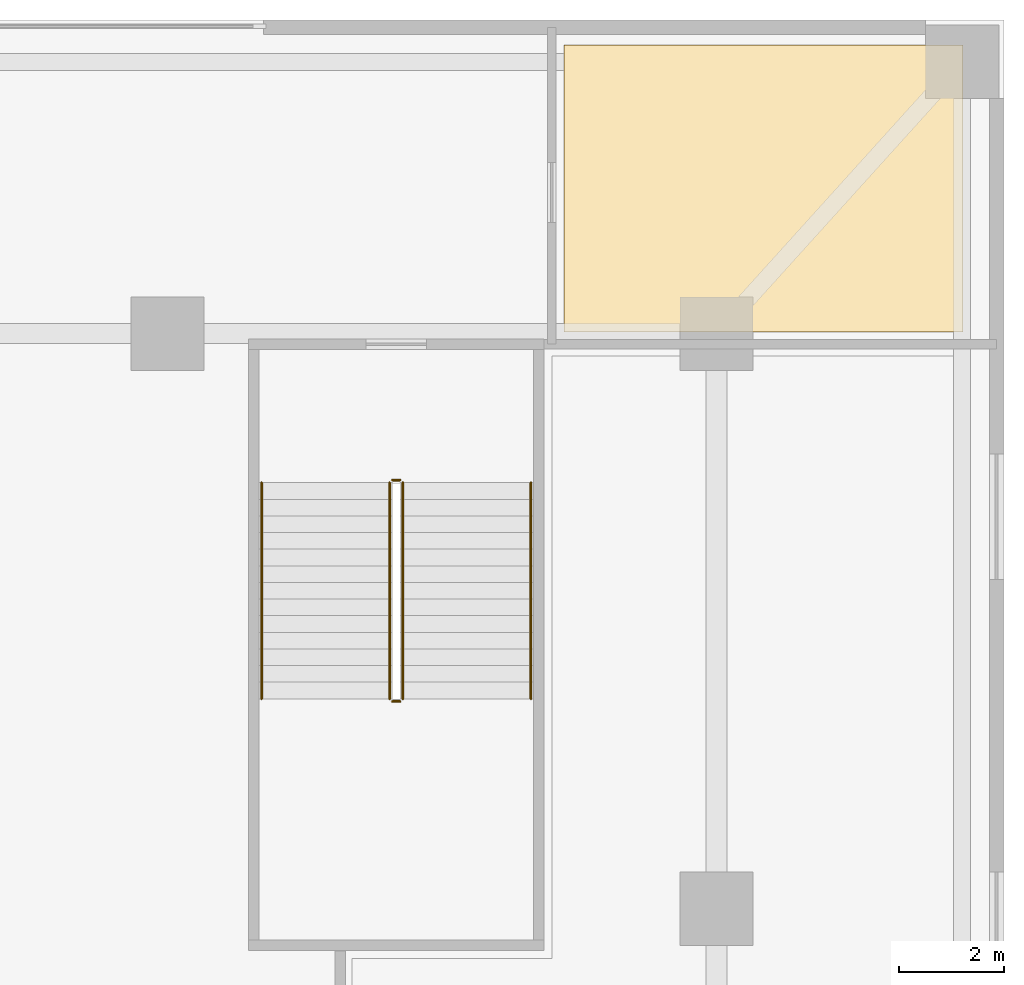
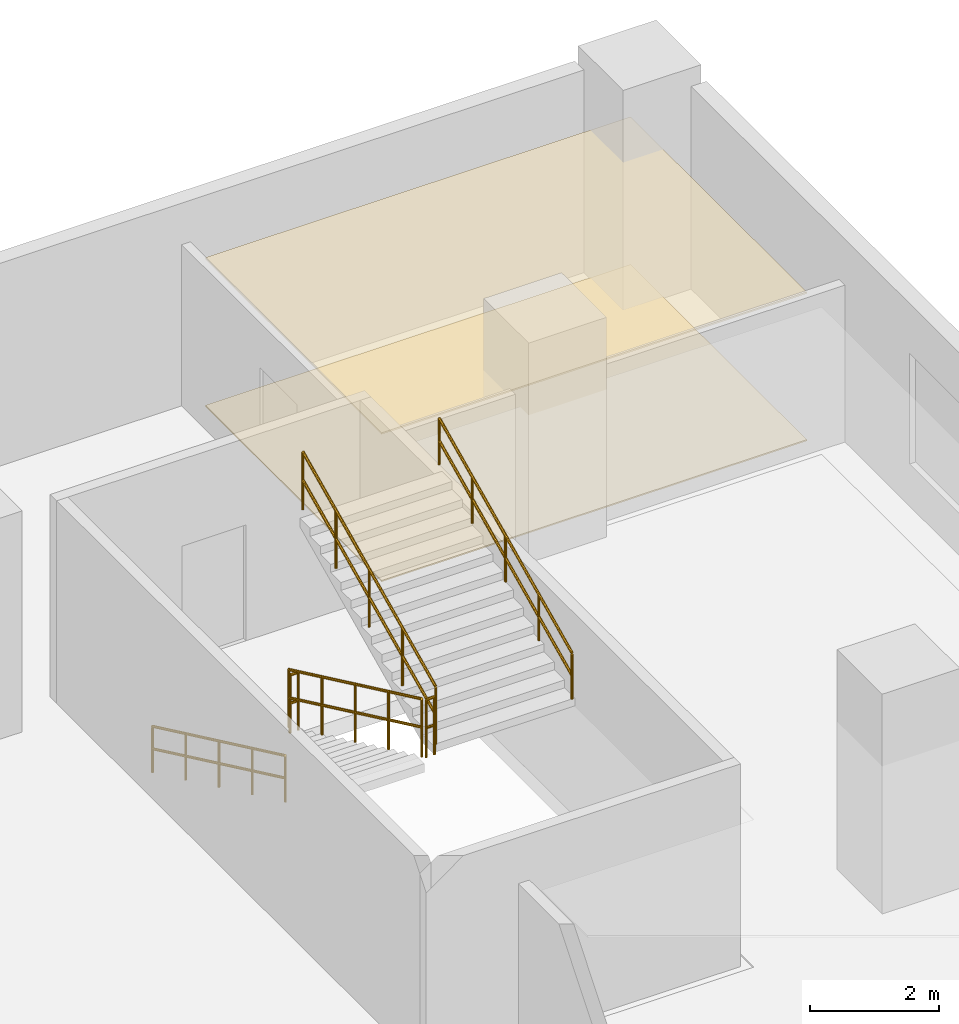
# One storey, part 14 of 15: 6 railings, 2 coverings.
"""IFC4 building model written with IfcOpenShell, lengths in metres."""

import ifcopenshell
import ifcopenshell.guid

model = None  # the IFC model being written
_history = None  # IfcOwnerHistory: only IFC2X3 demands one
_inside = {}  # id of a spatial element -> (the spatial element, [elements in it])
_under = {}  # id of a project, library or spatial element -> (it, [spatial elements below it])
_declared = {}  # id of a project -> (the project, [libraries it declares])
_typed = {}  # id of a type object -> (the type object, [elements of that type])
_made_of = {}  # id of a material, layer set ... -> (it, [elements and type objects made of it])


def new_model(schema):
    """Start an empty IFC model of exactly this schema.

    Asked for "IFC4X3", IfcOpenShell would pick the latest addendum, in which some entities
    have other attributes; the version numbers below select the first issue.
    IFC2X3 requires an IfcOwnerHistory on every rooted entity: one is made here for all.
    """
    global model, _history
    if schema == "IFC4X3":
        model = ifcopenshell.file(schema_version=(4, 3, 0, 0))
    else:
        model = ifcopenshell.file(schema=schema)
    _inside.clear()
    _under.clear()
    _declared.clear()
    _typed.clear()
    _made_of.clear()
    _history = None
    if model.schema == "IFC2X3":
        org = make("IfcOrganization", Name="unknown")
        user = make(
            "IfcPersonAndOrganization",
            ThePerson=make("IfcPerson", FamilyName="unknown"),
            TheOrganization=org,
        )
        app = make(
            "IfcApplication",
            ApplicationDeveloper=org,
            Version="unknown",
            ApplicationFullName="unknown",
            ApplicationIdentifier="unknown",
        )
        _history = make(
            "IfcOwnerHistory",
            OwningUser=user,
            OwningApplication=app,
            ChangeAction="ADDED",
            CreationDate=0,
        )
    return model


def make(cls, **values):
    """One entity of the class cls with the attributes given. An attribute that is None is left unset."""
    return model.create_entity(
        cls, **{name: value for name, value in values.items() if value is not None}
    )


def rooted(cls, **values):
    """An entity with a GlobalId (a new one), such as an element, a storey or a relation."""
    return make(cls, GlobalId=ifcopenshell.guid.new(), OwnerHistory=_history, **values)


def si_unit(unit_type, name, prefix=None):
    """IfcSIUnit, for example si_unit("LENGTHUNIT", "METRE", prefix="MILLI")."""
    return make("IfcSIUnit", UnitType=unit_type, Prefix=prefix, Name=name)


def assignment(units):
    """IfcUnitAssignment: the units of a project."""
    return None if units is None else make("IfcUnitAssignment", Units=units)


def point(xyz):
    """IfcCartesianPoint."""
    return None if xyz is None else make("IfcCartesianPoint", Coordinates=xyz)


def direction(xyz):
    """IfcDirection."""
    return None if xyz is None else make("IfcDirection", DirectionRatios=xyz)


def frame(location, z_axis=None, x_axis=None):
    """IfcAxis2Placement3D, a coordinate frame: its origin and axes. An axis left out is left unset."""
    return make(
        "IfcAxis2Placement3D",
        Location=point(location),
        Axis=direction(z_axis),
        RefDirection=direction(x_axis),
    )


def frame_2d(location, x_axis=None):
    """IfcAxis2Placement2D, a coordinate frame in the plane: its origin and x axis."""
    return make(
        "IfcAxis2Placement2D", Location=point(location), RefDirection=direction(x_axis)
    )


def origin():
    """The frame at (0, 0, 0) with its axes left unset."""
    return frame((0.0, 0.0, 0.0))


def origin_2d():
    """The frame at (0, 0) in the plane with its x axis left unset."""
    return frame_2d((0.0, 0.0))


def place(relative_to, where):
    """IfcLocalPlacement: puts the frame where relative to a parent placement (None: the world)."""
    return make(
        "IfcLocalPlacement", PlacementRelTo=relative_to, RelativePlacement=where
    )


def context(
    kind, dimensions, precision=None, world=None, true_north=None, identifier=None
):
    """IfcGeometricRepresentationContext, for example the 3D "Model" context."""
    return make(
        "IfcGeometricRepresentationContext",
        ContextIdentifier=identifier,
        ContextType=kind,
        CoordinateSpaceDimension=dimensions,
        Precision=precision,
        WorldCoordinateSystem=world,
        TrueNorth=true_north,
    )


def subcontext(parent, identifier, kind, view, scale=None):
    """IfcGeometricRepresentationSubContext, for example "Body" below "Model"."""
    return make(
        "IfcGeometricRepresentationSubContext",
        ContextIdentifier=identifier,
        ContextType=kind,
        ParentContext=parent,
        TargetScale=scale,
        TargetView=view,
    )


def project(units=None, contexts=None):
    """IfcProject with its units and contexts."""
    return rooted(
        "IfcProject",
        Name="project",
        RepresentationContexts=contexts,
        UnitsInContext=assignment(units),
    )


def spatial(cls, under=None, at=None, **own):
    """A site, building, storey or space (cls), placed at a placement, below another one or the project."""
    s = rooted(cls, ObjectPlacement=at, **own)
    if under is not None:
        _under.setdefault(under.id(), (under, []))[1].append(s)
    return s


def polyline(points):
    """IfcPolyline through the points."""
    return make("IfcPolyline", Points=[point(p) for p in points])


def profile(cls, at=None, kind="AREA", **sizes):
    """A parametric profile (cls). Its sizes go by their IFC names, for example OverallWidth=200.0."""
    return make(cls, ProfileType=kind, Position=at, **sizes)


def circle(**sizes):
    """IfcCircleProfileDef."""
    return profile("IfcCircleProfileDef", **sizes)


def outline(outer, holes=None, kind="AREA"):
    """IfcArbitraryClosedProfileDef: a profile drawn as a closed curve; with holes, ...WithVoids."""
    if holes is None:
        return make("IfcArbitraryClosedProfileDef", ProfileType=kind, OuterCurve=outer)
    return make(
        "IfcArbitraryProfileDefWithVoids",
        ProfileType=kind,
        OuterCurve=outer,
        InnerCurves=holes,
    )


def extrude(swept, where, along, depth):
    """IfcExtrudedAreaSolid: the profile swept, set in the frame where, extruded along a direction by depth."""
    return make(
        "IfcExtrudedAreaSolid",
        SweptArea=swept,
        Position=where,
        ExtrudedDirection=direction(along),
        Depth=depth,
    )


def shape(context_of_items, identifier, shape_type, items):
    """IfcShapeRepresentation: the items that make up one representation, for example the "Body"."""
    return make(
        "IfcShapeRepresentation",
        ContextOfItems=context_of_items,
        RepresentationIdentifier=identifier,
        RepresentationType=shape_type,
        Items=items,
    )


def material(Name=None, Category=None):
    """IfcMaterial."""
    return make("IfcMaterial", Name=Name, Category=Category)


def layer(
    of_material, thickness, ventilated=None, Name=None, Category=None, Priority=None
):
    """IfcMaterialLayer: one layer of a wall or slab, of a material (None: an air gap)."""
    return make(
        "IfcMaterialLayer",
        Material=of_material,
        LayerThickness=thickness,
        IsVentilated=ventilated,
        Name=Name,
        Category=Category,
        Priority=Priority,
    )


def layer_set(layers, Name=None):
    """IfcMaterialLayerSet."""
    return make("IfcMaterialLayerSet", MaterialLayers=layers, LayerSetName=Name)


def made_of(thing, what):
    """Note that an element or type object is made of a material, layer set ...; save() writes the relation."""
    if what is not None:
        _made_of.setdefault(what.id(), (what, []))[1].append(thing)
    return thing


def type_object(cls, material=None, **own):
    """A type object (cls), such as IfcWallType, which elements share."""
    return made_of(rooted(cls, **own), material)


def element(
    cls,
    number,
    at=None,
    inside=None,
    cuts=None,
    type_object=None,
    material=None,
    context=None,
    identifier="Body",
    shape_type=None,
    held_by="IfcProductDefinitionShape",
    body=None,
    shapes=None,
    **own,
):
    """One element of the class cls, such as IfcWall. Its Tag is "e" and its number.

    at: its placement. inside: the storey or other place that contains it. cuts: it is an
    opening in that element (IfcRelVoidsElement). A single representation is given by context,
    identifier, shape_type and body (its items); several are given by shapes. held_by: the class
    of the entity that holds the representations. save() writes the other relations.
    """
    e = rooted(cls, Tag="e%d" % number, ObjectPlacement=at, **own)
    if body is not None:
        shapes = [shape(context, identifier, shape_type, body)]
    if shapes is not None:
        e.Representation = make(held_by, Representations=shapes)
    if inside is not None:
        _inside.setdefault(inside.id(), (inside, []))[1].append(e)
    if cuts is not None:
        rooted(
            "IfcRelVoidsElement", RelatingBuildingElement=cuts, RelatedOpeningElement=e
        )
    if type_object is not None:
        _typed.setdefault(type_object.id(), (type_object, []))[1].append(e)
    return made_of(e, material)


def aggregate(whole, parts):
    """IfcRelAggregates: a whole, such as a stair, and the parts it consists of."""
    return rooted("IfcRelAggregates", RelatingObject=whole, RelatedObjects=parts)


def save(model, path):
    """Write the relations noted so far, then the file.

    IfcRelAggregates (storeys below a building ...), IfcRelContainedInSpatialStructure (elements
    in a storey), IfcRelDefinesByType, IfcRelAssociatesMaterial and IfcRelDeclares: one each for
    every whole, place, type object, material and project.
    """
    for whole, parts in _under.values():
        aggregate(whole, parts)
    for where, things in _inside.values():
        rooted(
            "IfcRelContainedInSpatialStructure",
            RelatedElements=things,
            RelatingStructure=where,
        )
    for kind, things in _typed.values():
        rooted("IfcRelDefinesByType", RelatedObjects=things, RelatingType=kind)
    for what, things in _made_of.values():
        rooted("IfcRelAssociatesMaterial", RelatedObjects=things, RelatingMaterial=what)
    for by, libraries in _declared.values():
        rooted("IfcRelDeclares", RelatingContext=by, RelatedDefinitions=libraries)
    model.write(path)


model = new_model("IFC4")

# Units and contexts
model_context = context("Model", 3, precision=1e-05, world=origin(), true_north=direction((0.0, 1.0)))
body_context = subcontext(model_context, "Body", "Model", "MODEL_VIEW")
ifc_project = project(units=[si_unit("LENGTHUNIT", "METRE"), si_unit("AREAUNIT", "SQUARE_METRE"), si_unit("VOLUMEUNIT", "CUBIC_METRE"), si_unit("PLANEANGLEUNIT", "RADIAN"), si_unit("MASSUNIT", "GRAM", prefix="KILO")], contexts=[model_context])

# Site, building, storey
site_placement = place(None, origin())
site = spatial("IfcSite", under=ifc_project, at=site_placement, CompositionType="ELEMENT")
building_placement = place(site_placement, origin())
building = spatial("IfcBuilding", under=site, at=building_placement, Name="Solmavex Isthmus Hotel", CompositionType="ELEMENT")
storey_placement = place(building_placement, frame((0.0, 0.0, 16.199951171875)))
storey = spatial("IfcBuildingStorey", under=building, at=storey_placement, Name="L04", CompositionType="ELEMENT", Elevation=16.199951171875)

# Coverings
ifc_material_1 = material(Name="Gypsum plasterboard lining", Category="gypsum")
ifc_layer_1 = layer(ifc_material_1, 0.030029296875)
ifc_layer_set_1 = layer_set([ifc_layer_1], Name="Gypsum plasterboard lining")
covering_type_1 = type_object("IfcCoveringType", Name="COV-CEIL-GYP", PredefinedType="CEILING", material=ifc_layer_set_1)
covering_1_placement = place(storey_placement, frame((0.0, 0.0, 2.800048828125)))
element("IfcCovering", 1, at=covering_1_placement, inside=storey, type_object=covering_type_1, Name="Suspended Acoustic Ceiling L04-BC01", PredefinedType="CEILING", context=body_context, shape_type="SweptSolid", body=[
    extrude(outline(polyline([(33.219970703125, 17.530029296875), (33.219970703125, 23.02001953125), (25.580078125, 23.02001953125), (25.580078125, 17.530029296875), (33.219970703125, 17.530029296875)])), origin(), (0.0, 0.0, 1.0), 0.030029296875),
])
ifc_material_2 = material(Name="Travertine natural stone", Category="masonry")
ifc_layer_2 = layer(ifc_material_2, 0.02490234375)
ifc_layer_set_2 = layer_set([ifc_layer_2], Name="Travertine natural stone")
covering_type_2 = type_object("IfcCoveringType", Name="COV-FLOR-STN", PredefinedType="FLOORING", material=ifc_layer_set_2)
covering_2_placement = place(storey_placement, origin())
element("IfcCovering", 2, at=covering_2_placement, inside=storey, type_object=covering_type_2, Name="Stone and Timber Floor Finish L04-BC01", PredefinedType="FLOORING", context=body_context, shape_type="SweptSolid", body=[
    extrude(outline(polyline([(33.219970703125, 17.530029296875), (33.219970703125, 23.02001953125), (25.580078125, 23.02001953125), (25.580078125, 17.530029296875), (33.219970703125, 17.530029296875)])), origin(), (0.0, 0.0, 1.0), 0.025146484375),
])

# Railings
ifc_material_3 = material(Name="Stainless steel 316", Category="steel")
ifc_layer_3 = layer(ifc_material_3, 0.06005859375)
ifc_layer_set_3 = layer_set([ifc_layer_3], Name="Stainless steel 316")
railing_type_1 = type_object("IfcRailingType", Name="RAIL-STAIR-GD", PredefinedType="GUARDRAIL", material=ifc_layer_set_3)
railing_1_placement = place(storey_placement, frame((22.25, 14.64990234375, 0.150146484375)))
element("IfcRailing", 3, at=railing_1_placement, inside=storey, type_object=railing_type_1, Name="L04 ST-3 stair guard 1", PredefinedType="GUARDRAIL", context=body_context, shape_type="SweptSolid", body=[
    extrude(circle(Radius=0.02392578125, at=origin_2d()), frame((0.0, 0.0, 1.09619140625), z_axis=(0.0, -0.904427314889, 0.426627744154), x_axis=(1.0, 0.0, 0.0)), (0.0, 0.0, 1.0), 4.570556640625),
    extrude(circle(Radius=0.02392578125, at=origin_2d()), frame((0.0, 0.0, 0.56005859375), z_axis=(0.0, -0.904427314889, 0.426627744154), x_axis=(1.0, 0.0, 0.0)), (0.0, 0.0, 1.0), 4.570556640625),
    extrude(circle(Radius=0.02099609375, at=origin_2d()), origin(), (0.0, 0.0, 1.0), 1.072021484375),
    extrude(circle(Radius=0.02099609375, at=origin_2d()), frame((0.0, -1.033447265625, 0.487548828125)), (0.0, 0.0, 1.0), 1.072021484375),
    extrude(circle(Radius=0.02099609375, at=origin_2d()), frame((0.0, -2.06689453125, 0.97509765625)), (0.0, 0.0, 1.0), 1.072021484375),
    extrude(circle(Radius=0.02099609375, at=origin_2d()), frame((0.0, -3.100341796875, 1.46240234375)), (0.0, 0.0, 1.0), 1.072021484375),
    extrude(circle(Radius=0.02099609375, at=origin_2d()), frame((0.0, -4.1337890625, 1.949951171875)), (0.0, 0.0, 1.0), 1.072021484375),
])
railing_2_placement = place(storey_placement, frame((22.300048828125, 10.466064453125, 2.10009765625)))
element("IfcRailing", 4, at=railing_2_placement, inside=storey, type_object=railing_type_1, Name="L04 ST-3 stair guard 2", PredefinedType="GUARDRAIL", context=body_context, shape_type="SweptSolid", body=[
    extrude(circle(Radius=0.02392578125, at=origin_2d()), frame((0.0, 0.0, 1.09619140625), z_axis=(1.0, 0.0, 0.0), x_axis=(0.0, 1.0, 0.0)), (0.0, 0.0, 1.0), 0.14990234375),
    extrude(circle(Radius=0.02392578125, at=origin_2d()), frame((0.0, 0.0, 0.56005859375), z_axis=(1.0, 0.0, 0.0), x_axis=(0.0, 1.0, 0.0)), (0.0, 0.0, 1.0), 0.14990234375),
    extrude(circle(Radius=0.02099609375, at=origin_2d()), origin(), (0.0, 0.0, 1.0), 1.072021484375),
    extrude(circle(Radius=0.02099609375, at=origin_2d()), frame((0.14990234375, 0.0, 0.0)), (0.0, 0.0, 1.0), 1.072021484375),
])
railing_3_placement = place(storey_placement, frame((22.5, 10.51611328125, 2.25)))
element("IfcRailing", 5, at=railing_3_placement, inside=storey, type_object=railing_type_1, Name="L04 ST-3 stair guard 3", PredefinedType="GUARDRAIL", context=body_context, shape_type="SweptSolid", body=[
    extrude(circle(Radius=0.02392578125, at=origin_2d()), frame((0.0, 0.0, 1.09619140625), z_axis=(0.0, 0.904427314889, 0.426627744154), x_axis=(-1.0, 0.0, 0.0)), (0.0, 0.0, 1.0), 4.570556640625),
    extrude(circle(Radius=0.02392578125, at=origin_2d()), frame((0.0, 0.0, 0.56005859375), z_axis=(0.0, 0.904427314889, 0.426627744154), x_axis=(-1.0, 0.0, 0.0)), (0.0, 0.0, 1.0), 4.570556640625),
    extrude(circle(Radius=0.02099609375, at=origin_2d()), origin(), (0.0, 0.0, 1.0), 1.072021484375),
    extrude(circle(Radius=0.02099609375, at=origin_2d()), frame((0.0, 1.033447265625, 0.487548828125)), (0.0, 0.0, 1.0), 1.072021484375),
    extrude(circle(Radius=0.02099609375, at=origin_2d()), frame((0.0, 2.06689453125, 0.97509765625)), (0.0, 0.0, 1.0), 1.072021484375),
    extrude(circle(Radius=0.02099609375, at=origin_2d()), frame((0.0, 3.100341796875, 1.46240234375)), (0.0, 0.0, 1.0), 1.072021484375),
    extrude(circle(Radius=0.02099609375, at=origin_2d()), frame((0.0, 4.1337890625, 1.949951171875)), (0.0, 0.0, 1.0), 1.072021484375),
])
railing_4_placement = place(storey_placement, frame((22.300048828125, 14.699951171875, 0.0)))
element("IfcRailing", 6, at=railing_4_placement, inside=storey, type_object=railing_type_1, Name="L04 ST-3 stair guard 4", PredefinedType="GUARDRAIL", context=body_context, shape_type="SweptSolid", body=[
    extrude(circle(Radius=0.02392578125, at=origin_2d()), frame((0.0, 0.0, 1.09619140625), z_axis=(1.0, 0.0, 0.0), x_axis=(0.0, 1.0, 0.0)), (0.0, 0.0, 1.0), 0.14990234375),
    extrude(circle(Radius=0.02392578125, at=origin_2d()), frame((0.0, 0.0, 0.56005859375), z_axis=(1.0, 0.0, 0.0), x_axis=(0.0, 1.0, 0.0)), (0.0, 0.0, 1.0), 0.14990234375),
    extrude(circle(Radius=0.02099609375, at=origin_2d()), origin(), (0.0, 0.0, 1.0), 1.072021484375),
    extrude(circle(Radius=0.02099609375, at=origin_2d()), frame((0.14990234375, 0.0, 0.0)), (0.0, 0.0, 1.0), 1.072021484375),
])
ifc_layer_4 = layer(ifc_material_3, 0.050048828125)
ifc_layer_set_4 = layer_set([ifc_layer_4], Name="Stainless steel 316")
railing_type_2 = type_object("IfcRailingType", Name="RAIL-STAIR-HR", PredefinedType="HANDRAIL", material=ifc_layer_set_4)
railing_5_placement = place(storey_placement, frame((19.800048828125, 14.64990234375, 0.150146484375)))
element("IfcRailing", 7, at=railing_5_placement, inside=storey, type_object=railing_type_2, Name="L04 ST-3 stair handrail 1", PredefinedType="HANDRAIL", context=body_context, shape_type="SweptSolid", body=[
    extrude(circle(Radius=0.02392578125, at=origin_2d()), frame((0.0, 0.0, 0.8759765625), z_axis=(0.0, -0.904427314889, 0.426627744154), x_axis=(1.0, 0.0, 0.0)), (0.0, 0.0, 1.0), 4.570556640625),
    extrude(circle(Radius=0.02392578125, at=origin_2d()), frame((0.0, 0.0, 0.449951171875), z_axis=(0.0, -0.904427314889, 0.426627744154), x_axis=(1.0, 0.0, 0.0)), (0.0, 0.0, 1.0), 4.570556640625),
    extrude(circle(Radius=0.02099609375, at=origin_2d()), origin(), (0.0, 0.0, 1.0), 0.851806640625),
    extrude(circle(Radius=0.02099609375, at=origin_2d()), frame((0.0, -1.033447265625, 0.487548828125)), (0.0, 0.0, 1.0), 0.851806640625),
    extrude(circle(Radius=0.02099609375, at=origin_2d()), frame((0.0, -2.06689453125, 0.97509765625)), (0.0, 0.0, 1.0), 0.851806640625),
    extrude(circle(Radius=0.02099609375, at=origin_2d()), frame((0.0, -3.100341796875, 1.46240234375)), (0.0, 0.0, 1.0), 0.851806640625),
    extrude(circle(Radius=0.02099609375, at=origin_2d()), frame((0.0, -4.1337890625, 1.949951171875)), (0.0, 0.0, 1.0), 0.851806640625),
])
railing_6_placement = place(storey_placement, frame((24.949951171875, 10.51611328125, 2.25)))
element("IfcRailing", 8, at=railing_6_placement, inside=storey, type_object=railing_type_2, Name="L04 ST-3 stair handrail 2", PredefinedType="HANDRAIL", context=body_context, shape_type="SweptSolid", body=[
    extrude(circle(Radius=0.02392578125, at=origin_2d()), frame((0.0, 0.0, 0.8759765625), z_axis=(0.0, 0.904427314889, 0.426627744154), x_axis=(-1.0, 0.0, 0.0)), (0.0, 0.0, 1.0), 4.570556640625),
    extrude(circle(Radius=0.02392578125, at=origin_2d()), frame((0.0, 0.0, 0.449951171875), z_axis=(0.0, 0.904427314889, 0.426627744154), x_axis=(-1.0, 0.0, 0.0)), (0.0, 0.0, 1.0), 4.570556640625),
    extrude(circle(Radius=0.02099609375, at=origin_2d()), origin(), (0.0, 0.0, 1.0), 0.851806640625),
    extrude(circle(Radius=0.02099609375, at=origin_2d()), frame((0.0, 1.033447265625, 0.487548828125)), (0.0, 0.0, 1.0), 0.851806640625),
    extrude(circle(Radius=0.02099609375, at=origin_2d()), frame((0.0, 2.06689453125, 0.97509765625)), (0.0, 0.0, 1.0), 0.851806640625),
    extrude(circle(Radius=0.02099609375, at=origin_2d()), frame((0.0, 3.100341796875, 1.46240234375)), (0.0, 0.0, 1.0), 0.851806640625),
    extrude(circle(Radius=0.02099609375, at=origin_2d()), frame((0.0, 4.1337890625, 1.949951171875)), (0.0, 0.0, 1.0), 0.851806640625),
])

save(model, "model.ifc")
